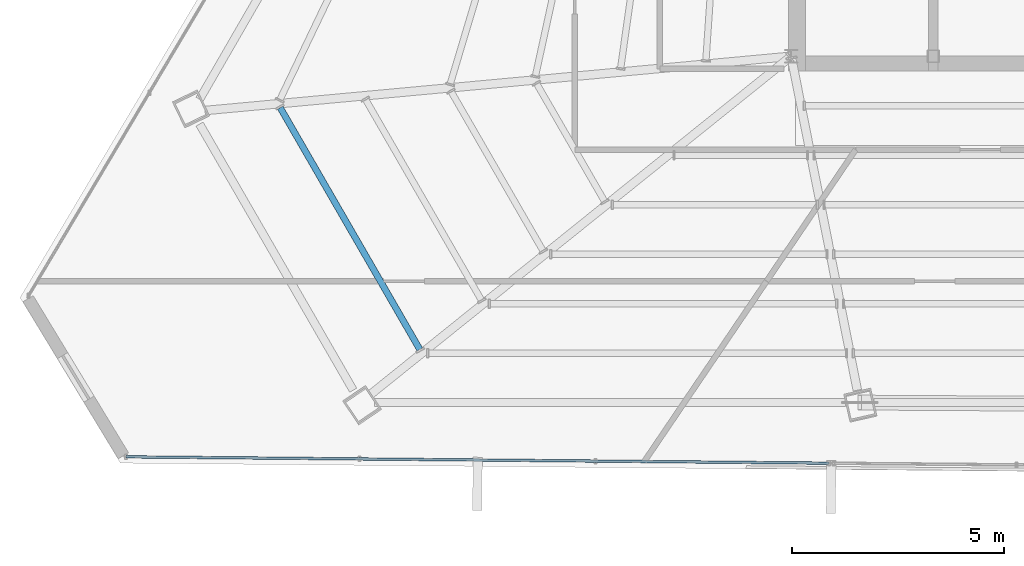
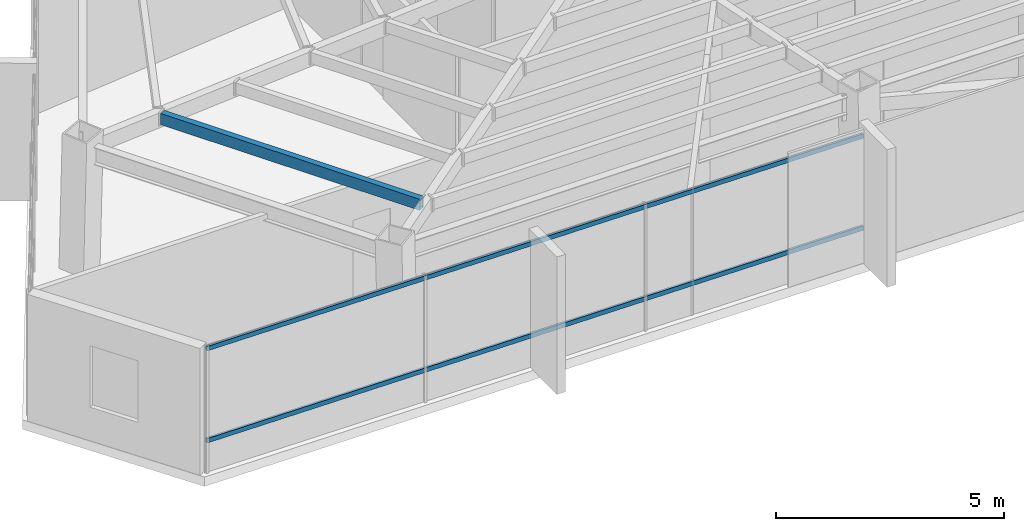
# One storey, part 4 of 47: 2 members, 1 beam, 1 element without a shape of its own.
"""IFC4 building model written with IfcOpenShell, lengths in metres."""

from ifc_helpers import new_model, si_unit, direction, frame, origin, origin_2d, place, context, subcontext, project, spatial, hollow_rectangle, extrude, source, transform, mapped, material, material_profile, profile_set, type_object, type_shapes, element, aggregate, save


model = new_model("IFC4")

# Units and contexts
model_context = context("Model", 3, precision=1e-05, world=origin(), true_north=direction((0.0, 1.0)))
body_context = subcontext(model_context, "Body", "Model", "MODEL_VIEW")
ifc_project = project(units=[si_unit("LENGTHUNIT", "METRE"), si_unit("AREAUNIT", "SQUARE_METRE"), si_unit("VOLUMEUNIT", "CUBIC_METRE"), si_unit("PLANEANGLEUNIT", "RADIAN"), si_unit("MASSUNIT", "GRAM", prefix="KILO")], contexts=[model_context])

# Site, building, storey
site_placement = place(None, origin())
site = spatial("IfcSite", under=ifc_project, at=site_placement, CompositionType="ELEMENT")
building_placement = place(site_placement, origin())
building = spatial("IfcBuilding", under=site, at=building_placement, Name="Caelisora Broadcast Tower", CompositionType="ELEMENT")
storey_placement = place(building_placement, frame((0.0, 0.0, 248.10009765625)))
storey = spatial("IfcBuildingStorey", under=building, at=storey_placement, Name="L65", CompositionType="ELEMENT", Elevation=248.10009765625)

# Beam
ifc_material_1 = material(Name="Steel Grade 350 (AS/NZS 1163 C350L0)", Category="steel")
ifc_material_profile_1 = material_profile(ifc_material_1, hollow_rectangle(XDim=0.14990234375, YDim=0.300048828125, WallThickness=0.010009765625, at=origin_2d()), Name="Steel Grade 350 (AS/NZS 1163 C350L0)")
ifc_profile_set_1 = profile_set([ifc_material_profile_1], Name="Steel Grade 350 (AS/NZS 1163 C350L0)")
beam_type = type_object("IfcBeamType", Name="SB05", PredefinedType="JOIST", material=ifc_profile_set_1)
shared_shape_1 = source(origin(), body_context, "Body", "SweptSolid", [
    extrude(hollow_rectangle(XDim=0.14990234375, YDim=0.300048828125, WallThickness=0.010009765625, at=origin_2d()), origin(), (0.0, 0.0, 1.0), 6.578369140625),
])
type_shapes(beam_type, [shared_shape_1])
beam_placement = place(storey_placement, frame((18.460693359375, 16.1875, 3.25), z_axis=(0.500014792963, -0.866016862895, 0.0), x_axis=(0.866016862895, 0.500014792963, 0.0)))
element("IfcBeam", 1, at=beam_placement, inside=storey, type_object=beam_type, Name="L65 beam SB05", PredefinedType="JOIST", context=body_context, shape_type="MappedRepresentation", body=[
    mapped(shared_shape_1, transform((0.0, 0.0, 0.0), scale=1.0)),
])

# Curtain wall, members
ifc_material_2 = material(Name="Unitised Aluminium and Low-E Glass Curtain Wall", Category="glass")
curtain_wall_type = type_object("IfcCurtainWallType", Name="CW-Z5", PredefinedType="NOTDEFINED", material=ifc_material_2)
curtain_wall_placement = place(storey_placement, origin())
curtain_wall = element("IfcCurtainWall", 2, at=curtain_wall_placement, inside=storey, type_object=curtain_wall_type, Name="L65 curtain wall CW-Z5", PredefinedType="NOTDEFINED")
ifc_material_3 = material(Name="Aluminium 6063-T6 Anodised Terracotta Bronze", Category="aluminium")
ifc_material_profile_2 = material_profile(ifc_material_3, hollow_rectangle(XDim=0.06005859375, YDim=0.1201171875, WallThickness=0.0029296875, at=origin_2d()), Name="Aluminium 6063-T6 Anodised Terracotta Bronze")
ifc_profile_set_2 = profile_set([ifc_material_profile_2], Name="Aluminium 6063-T6 Anodised Terracotta Bronze")
member_type = type_object("IfcMemberType", Name="CWT-03", PredefinedType="USERDEFINED", material=ifc_profile_set_2)
shared_shape_2 = source(origin(), body_context, "Body", "SweptSolid", [
    extrude(hollow_rectangle(XDim=0.06005859375, YDim=0.1201171875, WallThickness=0.0029296875, at=origin_2d()), origin(), (0.0, 0.0, 1.0), 16.56103515625),
])
type_shapes(member_type, [shared_shape_2])
member_1_placement = place(storey_placement, frame((31.390380859375, 7.81201171875, 0.849853515625), z_axis=(-0.999959300423, 0.009022056167, 0.0), x_axis=(-0.009022056167, -0.999959300423, 0.0)))
member_1 = element("IfcMember", 3, at=member_1_placement, type_object=member_type, Name="L65-CW-B07 transom #1", ObjectType="TRANSOM", PredefinedType="USERDEFINED", context=body_context, shape_type="MappedRepresentation", body=[
    mapped(shared_shape_2, transform((0.0, 0.0, 0.0), scale=1.0)),
])
member_2_placement = place(storey_placement, frame((31.390380859375, 7.81201171875, 3.31982421875), z_axis=(-0.999959300423, 0.009022056167, 0.0), x_axis=(-0.009022056167, -0.999959300423, 0.0)))
member_2 = element("IfcMember", 4, at=member_2_placement, type_object=member_type, Name="L65-CW-B07 transom #2", ObjectType="TRANSOM", PredefinedType="USERDEFINED", context=body_context, shape_type="MappedRepresentation", body=[
    mapped(shared_shape_2, transform((0.0, 0.0, 0.0), scale=1.0)),
])
aggregate(curtain_wall, [member_1, member_2])

save(model, "model.ifc")
